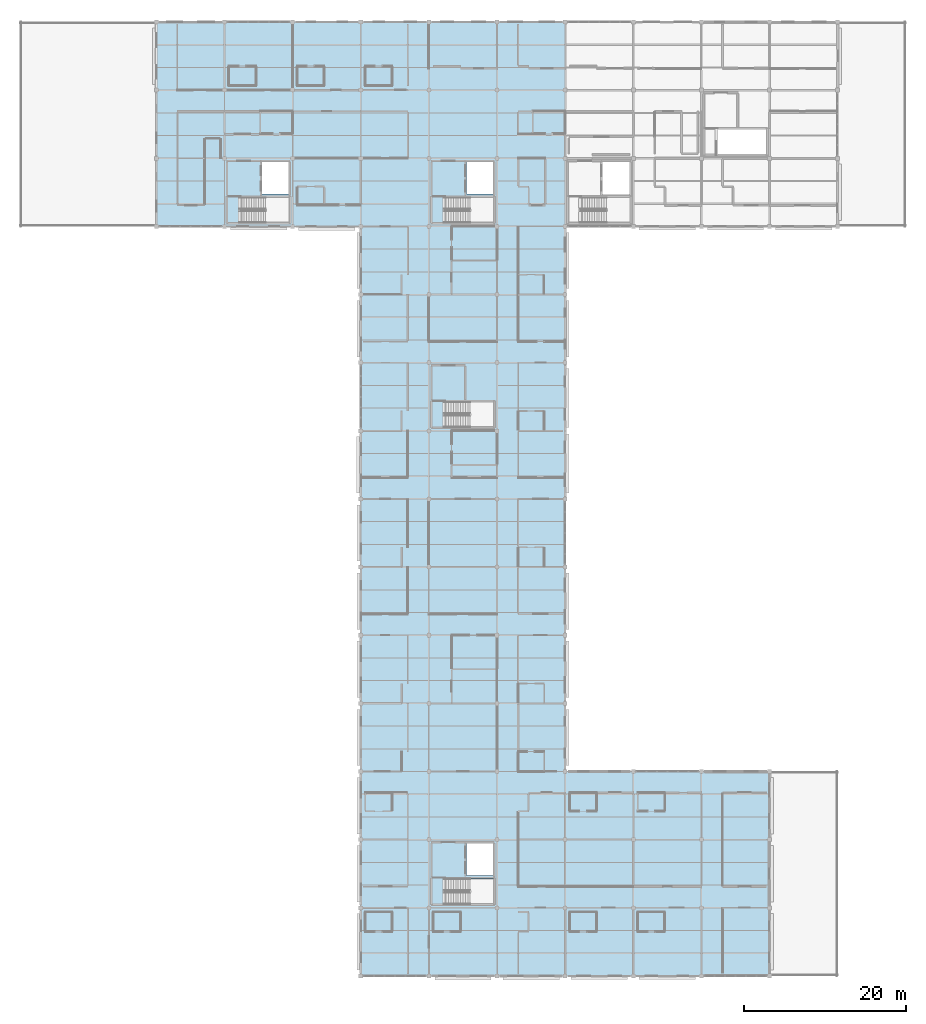
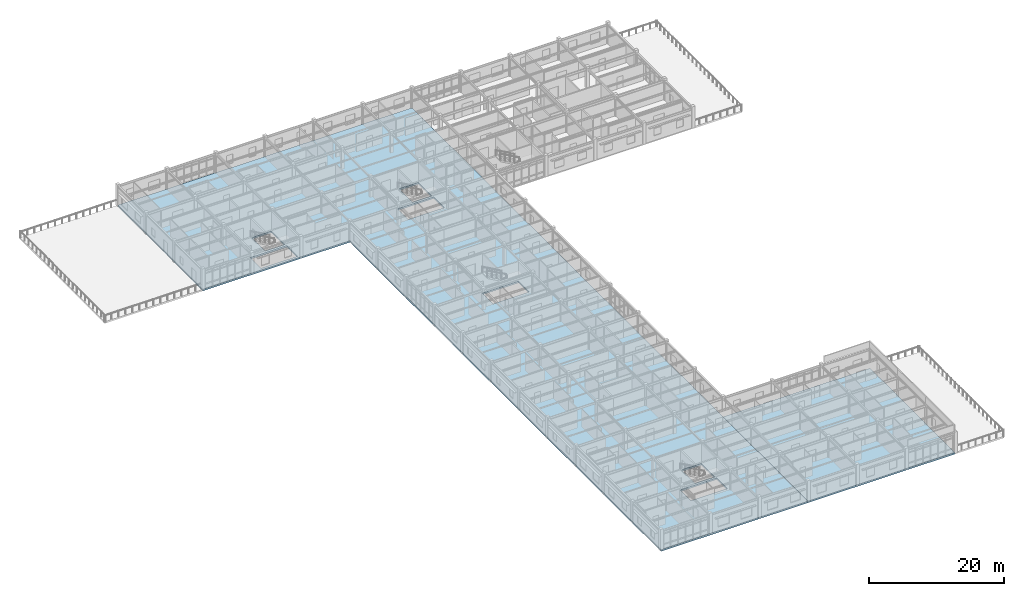
# One storey, part 28 of 53: 2 slabs.
"""IFC4 building model written with IfcOpenShell, lengths in metres."""

from ifc_helpers import new_model, si_unit, direction, frame, origin, place, context, subcontext, project, spatial, polyline, outline, extrude, material, layer, layer_set, type_object, element, save


model = new_model("IFC4")

# Units and contexts
model_context = context("Model", 3, precision=1e-05, world=origin(), true_north=direction((0.0, 1.0)))
body_context = subcontext(model_context, "Body", "Model", "MODEL_VIEW")
ifc_project = project(units=[si_unit("LENGTHUNIT", "METRE"), si_unit("AREAUNIT", "SQUARE_METRE"), si_unit("VOLUMEUNIT", "CUBIC_METRE"), si_unit("PLANEANGLEUNIT", "RADIAN"), si_unit("MASSUNIT", "GRAM", prefix="KILO")], contexts=[model_context])

# Site, building, storey
site_placement = place(None, origin())
site = spatial("IfcSite", under=ifc_project, at=site_placement, CompositionType="ELEMENT")
building_placement = place(site_placement, origin())
building = spatial("IfcBuilding", under=site, at=building_placement, Name="Bramfleet General Hospital", CompositionType="ELEMENT")
storey_placement = place(building_placement, frame((0.0, 0.0, 26.39990234375)))
storey = spatial("IfcBuildingStorey", under=building, at=storey_placement, Name="L06", CompositionType="ELEMENT", Elevation=26.39990234375)

# Slabs
ifc_material = material(Name="Concrete C35/45", Category="concrete")
ifc_layer = layer(ifc_material, 0.280029296875, Name="SL-FLR-280")
ifc_layer_set = layer_set([ifc_layer], Name="Concrete C35/45")
slab_type = type_object("IfcSlabType", Name="SL-FLR-280", PredefinedType="FLOOR", material=ifc_layer_set)
slab_1_placement = place(storey_placement, frame((0.0, 0.0, -0.27978515625)))
element("IfcSlab", 1, at=slab_1_placement, inside=storey, type_object=slab_type, Name="L06 Structural Floor Slab (CENTRE)", PredefinedType="FLOOR", context=body_context, shape_type="SweptSolid", body=[
    extrude(outline(polyline([(92.39990234375, 42.0), (92.39990234375, 50.39990234375), (92.39990234375, 58.800048828125), (92.39990234375, 67.199951171875), (92.39990234375, 75.60009765625), (92.39990234375, 84.0), (92.39990234375, 92.39990234375), (84.0, 92.39990234375), (75.60009765625, 92.39990234375), (67.199951171875, 92.39990234375), (67.199951171875, 100.800048828125), (67.199951171875, 109.199951171875), (67.199951171875, 117.60009765625), (75.60009765625, 117.60009765625), (84.0, 117.60009765625), (92.39990234375, 117.60009765625), (100.800048828125, 117.60009765625), (109.199951171875, 117.60009765625), (117.60009765625, 117.60009765625), (117.60009765625, 92.39990234375), (117.60009765625, 84.0), (117.60009765625, 75.60009765625), (117.60009765625, 67.199951171875), (117.60009765625, 58.800048828125), (117.60009765625, 50.39990234375), (117.60009765625, 42.0), (117.60009765625, 33.60009765625), (117.60009765625, 25.199951171875), (117.60009765625, 0.0), (109.199951171875, 0.0), (100.800048828125, 0.0), (92.39990234375, 0.0), (92.39990234375, 8.39990234375), (92.39990234375, 16.800048828125), (92.39990234375, 25.199951171875), (92.39990234375, 33.60009765625), (92.39990234375, 42.0)]), holes=[polyline([(102.639892578125, 8.820068359375), (108.860107421875, 8.820068359375), (108.860107421875, 11.97998046875), (102.639892578125, 11.97998046875), (102.639892578125, 8.820068359375)]), polyline([(105.419921875, 12.39990234375), (108.75, 12.39990234375), (108.75, 16.35009765625), (105.419921875, 16.35009765625), (105.419921875, 12.39990234375)]), polyline([(102.639892578125, 92.820068359375), (108.860107421875, 92.820068359375), (108.860107421875, 95.97998046875), (102.639892578125, 95.97998046875), (102.639892578125, 92.820068359375)]), polyline([(105.419921875, 96.39990234375), (108.75, 96.39990234375), (108.75, 100.35009765625), (105.419921875, 100.35009765625), (105.419921875, 96.39990234375)]), polyline([(77.43994140625, 92.820068359375), (83.659912109375, 92.820068359375), (83.659912109375, 95.97998046875), (77.43994140625, 95.97998046875), (77.43994140625, 92.820068359375)]), polyline([(80.219970703125, 96.39990234375), (83.550048828125, 96.39990234375), (83.550048828125, 100.35009765625), (80.219970703125, 100.35009765625), (80.219970703125, 96.39990234375)]), polyline([(102.639892578125, 67.6201171875), (108.860107421875, 67.6201171875), (108.860107421875, 70.780029296875), (102.639892578125, 70.780029296875), (102.639892578125, 67.6201171875)])]), origin(), (0.0, 0.0, 1.0), 0.27978515625),
])
slab_2_placement = place(storey_placement, frame((0.0, 0.0, -0.27978515625)))
element("IfcSlab", 2, at=slab_2_placement, inside=storey, type_object=slab_type, Name="L06 Structural Floor Slab (EAST)", PredefinedType="FLOOR", context=body_context, shape_type="SweptSolid", body=[
    extrude(outline(polyline([(126.0, 25.199951171875), (134.39990234375, 25.199951171875), (142.800048828125, 25.199951171875), (142.800048828125, 16.800048828125), (142.800048828125, 8.39990234375), (142.800048828125, 0.0), (134.39990234375, 0.0), (126.0, 0.0), (117.60009765625, 0.0), (117.60009765625, 25.199951171875), (126.0, 25.199951171875)])), origin(), (0.0, 0.0, 1.0), 0.27978515625),
])

save(model, "model.ifc")
